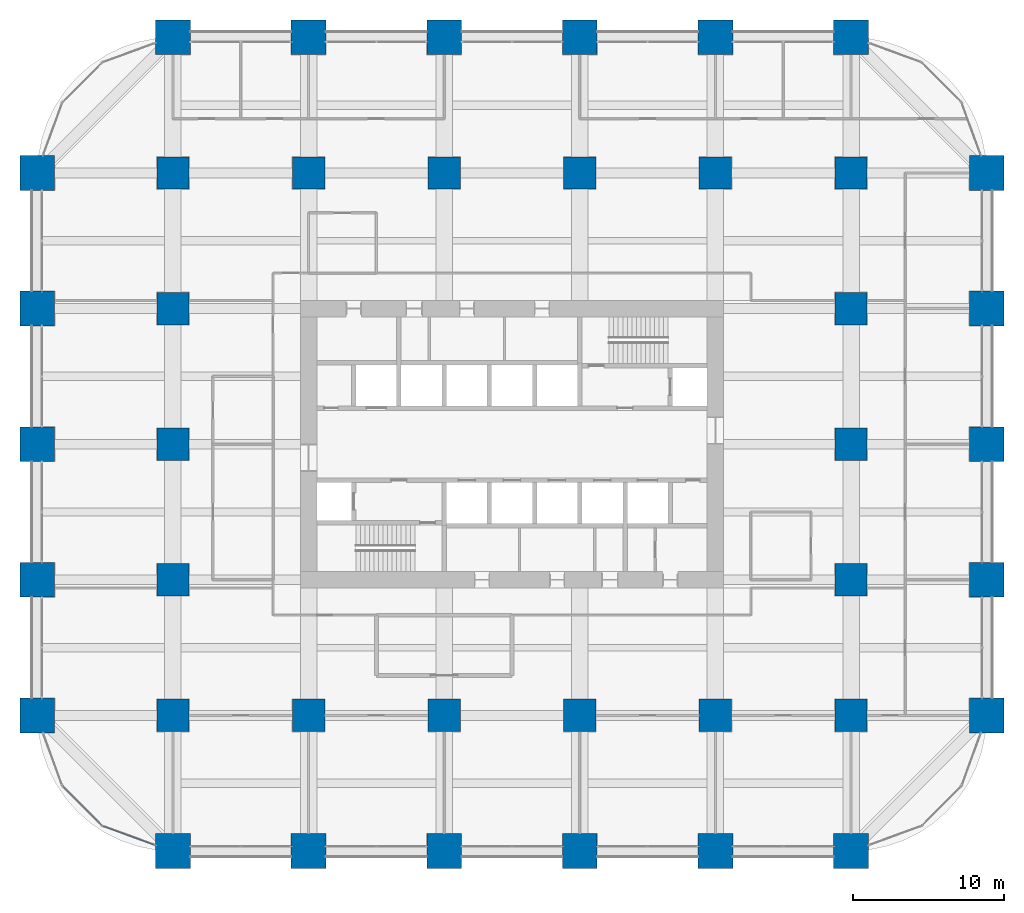
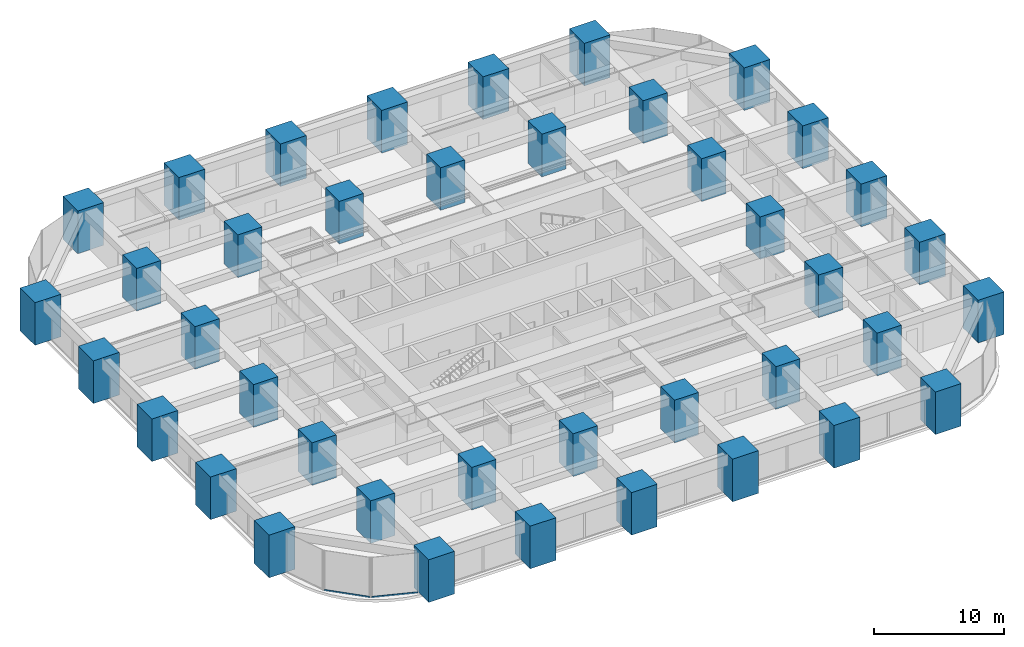
# One storey, part 1 of 44: 40 columns, 2 members, 2 elements without a shape of their own.
"""IFC4 building model written with IfcOpenShell, lengths in metres."""

from ifc_helpers import new_model, si_unit, direction, frame, origin, origin_2d, place, context, subcontext, project, spatial, rectangle, hollow_rectangle, extrude, material, material_profile, profile_set, type_object, element, aggregate, save


model = new_model("IFC4")

# Units and contexts
model_context = context("Model", 3, precision=1e-05, world=origin(), true_north=direction((0.0, 1.0)))
body_context = subcontext(model_context, "Body", "Model", "MODEL_VIEW")
ifc_project = project(units=[si_unit("LENGTHUNIT", "METRE"), si_unit("AREAUNIT", "SQUARE_METRE"), si_unit("VOLUMEUNIT", "CUBIC_METRE"), si_unit("PLANEANGLEUNIT", "RADIAN"), si_unit("MASSUNIT", "GRAM", prefix="KILO")], contexts=[model_context])

# Site, building, storey
site_placement = place(None, origin())
site = spatial("IfcSite", under=ifc_project, at=site_placement, CompositionType="ELEMENT")
building_placement = place(site_placement, origin())
building = spatial("IfcBuilding", under=site, at=building_placement, Name="Zorevar Civic Tower", CompositionType="ELEMENT")
storey_placement = place(building_placement, frame((0.0, 0.0, 51.800048828125)))
storey = spatial("IfcBuildingStorey", under=building, at=storey_placement, Name="L12", CompositionType="ELEMENT", Elevation=51.800048828125)

# Columns
ifc_material_1 = material(Name="Concrete C50/60", Category="concrete")
ifc_material_profile_1 = material_profile(ifc_material_1, rectangle(XDim=2.14990234375, YDim=2.14990234375, at=origin_2d()), Name="RC 2150x2150")
ifc_profile_set_1 = profile_set([ifc_material_profile_1], Name="Concrete C50/60")
column_type_1 = type_object("IfcColumnType", Name="Column RC 2150x2150", PredefinedType="COLUMN", material=ifc_profile_set_1)
for number, where, z_axis, x_axis, name in (
    (1, (9.0, 9.0, 0.0), (0.0, 0.0, 1.0), (1.0, 0.0, 0.0), "Column 3B L12"),
    (2, (9.0, 18.0, 0.0), (0.0, 0.0, 1.0), (1.0, 0.0, 0.0), "Column 3C L12"),
    (3, (9.0, 27.0, 0.0), (0.0, 0.0, 1.0), (1.0, 0.0, 0.0), "Column 3D L12"),
    (4, (9.0, 36.0, 0.0), (0.0, 0.0, 1.0), (1.0, 0.0, 0.0), "Column 3E L12"),
    (5, (9.0, 45.0, 0.0), (0.0, 0.0, 1.0), (1.0, 0.0, 0.0), "Column 3F L12"),
    (6, (18.0, 9.0, 0.0), (0.0, 0.0, 1.0), (1.0, 0.0, 0.0), "Column 4B L12"),
    (7, (18.0, 45.0, 0.0), (0.0, 0.0, 1.0), (1.0, 0.0, 0.0), "Column 4F L12"),
    (8, (27.0, 9.0, 0.0), (0.0, 0.0, 1.0), (1.0, 0.0, 0.0), "Column 5B L12"),
    (9, (27.0, 45.0, 0.0), (0.0, 0.0, 1.0), (1.0, 0.0, 0.0), "Column 5F L12"),
    (10, (36.0, 9.0, 0.0), (0.0, 0.0, 1.0), (1.0, 0.0, 0.0), "Column 6B L12"),
    (11, (36.0, 45.0, 0.0), (0.0, 0.0, 1.0), (1.0, 0.0, 0.0), "Column 6F L12"),
    (12, (45.0, 9.0, 0.0), (0.0, 0.0, 1.0), (1.0, 0.0, 0.0), "Column 7B L12"),
    (13, (45.0, 45.0, 0.0), (0.0, 0.0, 1.0), (1.0, 0.0, 0.0), "Column 7F L12"),
    (14, (54.0, 9.0, 0.0), (0.0, 0.0, 1.0), (1.0, 0.0, 0.0), "Column 8B L12"),
    (15, (54.0, 18.0, 0.0), (0.0, 0.0, 1.0), (1.0, 0.0, 0.0), "Column 8C L12"),
    (16, (54.0, 27.0, 0.0), (0.0, 0.0, 1.0), (1.0, 0.0, 0.0), "Column 8D L12"),
    (17, (54.0, 36.0, 0.0), (0.0, 0.0, 1.0), (1.0, 0.0, 0.0), "Column 8E L12"),
    (18, (54.0, 45.0, 0.0), (0.0, 0.0, 1.0), (1.0, 0.0, 0.0), "Column 8F L12"),
):
    element("IfcColumn", number, at=place(storey_placement, frame(where, z_axis=z_axis, x_axis=x_axis)), inside=storey, type_object=column_type_1, Name=name, PredefinedType="COLUMN", context=body_context, shape_type="SweptSolid", body=[
        extrude(rectangle(XDim=2.14990234375, YDim=2.14990234375, at=origin_2d()), origin(), (0.0, 0.0, 1.0), 4.0),
    ])
ifc_material_2 = material(Name="Concrete C50/60", Category="concrete")
ifc_material_profile_2 = material_profile(ifc_material_2, rectangle(XDim=2.300048828125, YDim=2.300048828125, at=origin_2d()), Name="RC 2300x2300")
ifc_profile_set_2 = profile_set([ifc_material_profile_2], Name="Concrete C50/60")
column_type_2 = type_object("IfcColumnType", Name="Column RC 2300x2300", PredefinedType="COLUMN", material=ifc_profile_set_2)
for number, where, z_axis, x_axis, name in (
    (19, (0.0, 9.0, 0.0), (0.0, 0.0, 1.0), (1.0, 0.0, 0.0), "Column 2B L12"),
    (20, (0.0, 18.0, 0.0), (0.0, 0.0, 1.0), (1.0, 0.0, 0.0), "Column 2C L12"),
    (21, (0.0, 27.0, 0.0), (0.0, 0.0, 1.0), (1.0, 0.0, 0.0), "Column 2D L12"),
    (22, (0.0, 36.0, 0.0), (0.0, 0.0, 1.0), (1.0, 0.0, 0.0), "Column 2E L12"),
    (23, (0.0, 45.0, 0.0), (0.0, 0.0, 1.0), (1.0, 0.0, 0.0), "Column 2F L12"),
    (24, (9.0, 0.0, 0.0), (0.0, 0.0, 1.0), (1.0, 0.0, 0.0), "Column 3A L12"),
    (25, (9.0, 54.0, 0.0), (0.0, 0.0, 1.0), (1.0, 0.0, 0.0), "Column 3G L12"),
    (26, (18.0, 0.0, 0.0), (0.0, 0.0, 1.0), (1.0, 0.0, 0.0), "Column 4A L12"),
    (27, (18.0, 54.0, 0.0), (0.0, 0.0, 1.0), (1.0, 0.0, 0.0), "Column 4G L12"),
    (28, (27.0, 0.0, 0.0), (0.0, 0.0, 1.0), (1.0, 0.0, 0.0), "Column 5A L12"),
    (29, (27.0, 54.0, 0.0), (0.0, 0.0, 1.0), (1.0, 0.0, 0.0), "Column 5G L12"),
    (30, (36.0, 0.0, 0.0), (0.0, 0.0, 1.0), (1.0, 0.0, 0.0), "Column 6A L12"),
    (31, (36.0, 54.0, 0.0), (0.0, 0.0, 1.0), (1.0, 0.0, 0.0), "Column 6G L12"),
    (32, (45.0, 0.0, 0.0), (0.0, 0.0, 1.0), (1.0, 0.0, 0.0), "Column 7A L12"),
    (33, (45.0, 54.0, 0.0), (0.0, 0.0, 1.0), (1.0, 0.0, 0.0), "Column 7G L12"),
    (34, (54.0, 0.0, 0.0), (0.0, 0.0, 1.0), (1.0, 0.0, 0.0), "Column 8A L12"),
    (35, (54.0, 54.0, 0.0), (0.0, 0.0, 1.0), (1.0, 0.0, 0.0), "Column 8G L12"),
    (36, (63.0, 9.0, 0.0), (0.0, 0.0, 1.0), (1.0, 0.0, 0.0), "Column 9B L12"),
    (37, (63.0, 18.0, 0.0), (0.0, 0.0, 1.0), (1.0, 0.0, 0.0), "Column 9C L12"),
    (38, (63.0, 27.0, 0.0), (0.0, 0.0, 1.0), (1.0, 0.0, 0.0), "Column 9D L12"),
    (39, (63.0, 36.0, 0.0), (0.0, 0.0, 1.0), (1.0, 0.0, 0.0), "Column 9E L12"),
    (40, (63.0, 45.0, 0.0), (0.0, 0.0, 1.0), (1.0, 0.0, 0.0), "Column 9F L12"),
):
    element("IfcColumn", number, at=place(storey_placement, frame(where, z_axis=z_axis, x_axis=x_axis)), inside=storey, type_object=column_type_2, Name=name, PredefinedType="COLUMN", context=body_context, shape_type="SweptSolid", body=[
        extrude(rectangle(XDim=2.300048828125, YDim=2.300048828125, at=origin_2d()), origin(), (0.0, 0.0, 1.0), 4.0),
    ])

# Curtain wall, member
ifc_material_3 = material(Name="Dark grey solar-control glass in black aluminium frame", Category="aluminium")
curtain_wall_type = type_object("IfcCurtainWallType", Name="Curtain wall CW2 low zone", PredefinedType="NOTDEFINED", material=ifc_material_3)
curtain_wall_1_placement = place(storey_placement, origin())
curtain_wall_1 = element("IfcCurtainWall", 41, at=curtain_wall_1_placement, inside=storey, type_object=curtain_wall_type, Name="CW2 L12", PredefinedType="NOTDEFINED")
ifc_material_4 = material(Name="Aluminium, black anodised", Category="aluminium")
ifc_material_profile_3 = material_profile(ifc_material_4, hollow_rectangle(XDim=0.06005859375, YDim=0.14990234375, WallThickness=0.00390625, at=origin_2d()), Name="AL 150x60x4")
ifc_profile_set_3 = profile_set([ifc_material_profile_3], Name="Aluminium, black anodised")
member_type = type_object("IfcMemberType", Name="CW2 transom AL 150x60x4", PredefinedType="USERDEFINED", material=ifc_profile_set_3)
member_1_placement = place(storey_placement, frame((1.70751953125, 4.279052734375, 0.030029296875), z_axis=(0.707106781187, -0.707106781187, 0.0), x_axis=(0.707106781187, 0.707106781187, 0.0)))
member_1 = element("IfcMember", 42, at=member_1_placement, type_object=member_type, Name="CW2 sill transom", ObjectType="TRANSOM", PredefinedType="USERDEFINED", context=body_context, shape_type="SweptSolid", body=[
    extrude(hollow_rectangle(XDim=0.06005859375, YDim=0.14990234375, WallThickness=0.00390625, at=origin_2d()), origin(), (0.0, 0.0, 1.0), 3.63671875),
])
aggregate(curtain_wall_1, [member_1])

curtain_wall_2_placement = place(storey_placement, origin())
curtain_wall_2 = element("IfcCurtainWall", 43, at=curtain_wall_2_placement, inside=storey, type_object=curtain_wall_type, Name="CW2 L12", PredefinedType="NOTDEFINED")
member_2_placement = place(storey_placement, frame((4.377685546875, 1.64453125, 0.030029296875), z_axis=(0.939318180432, -0.343047162808, 0.0), x_axis=(0.343047162808, 0.939318180432, 0.0)))
member_2 = element("IfcMember", 44, at=member_2_placement, type_object=member_type, Name="CW2 sill transom", ObjectType="TRANSOM", PredefinedType="USERDEFINED", context=body_context, shape_type="SweptSolid", body=[
    extrude(hollow_rectangle(XDim=0.06005859375, YDim=0.14990234375, WallThickness=0.00390625, at=origin_2d()), origin(), (0.0, 0.0, 1.0), 3.63671875),
])
aggregate(curtain_wall_2, [member_2])

save(model, "model.ifc")
